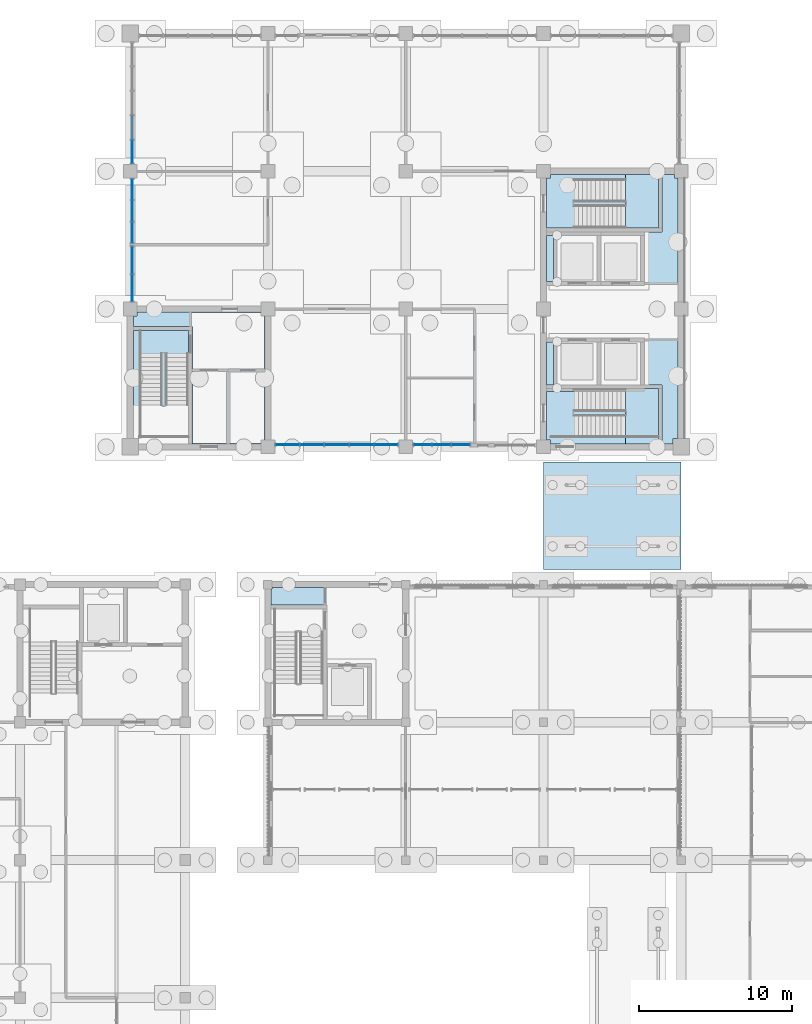
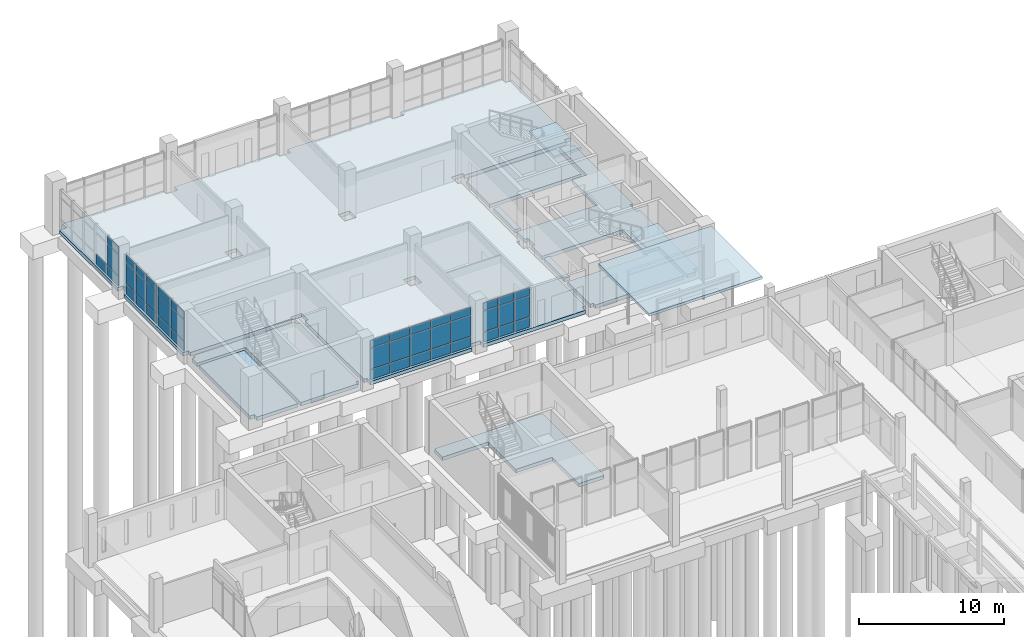
# One storey, part 62 of 106: 43 plates, 12 slabs, 7 elements without a shape of their own.
"""IFC4 building model written with IfcOpenShell, lengths in metres."""

from ifc_helpers import new_model, si_unit, direction, frame, origin, origin_2d, place, context, subcontext, project, spatial, polyline, rectangle, outline, extrude, material, layer, layer_set, type_object, element, aggregate, save


model = new_model("IFC4")

# Units and contexts
model_context = context("Model", 3, precision=1e-05, world=origin(), true_north=direction((0.0, 1.0)))
body_context = subcontext(model_context, "Body", "Model", "MODEL_VIEW")
ifc_project = project(units=[si_unit("LENGTHUNIT", "METRE"), si_unit("AREAUNIT", "SQUARE_METRE"), si_unit("VOLUMEUNIT", "CUBIC_METRE"), si_unit("PLANEANGLEUNIT", "RADIAN"), si_unit("MASSUNIT", "GRAM", prefix="KILO")], contexts=[model_context])

# Site, building, storey
site_placement = place(None, origin())
site = spatial("IfcSite", under=ifc_project, at=site_placement, CompositionType="ELEMENT")
building_placement = place(site_placement, origin())
building = spatial("IfcBuilding", under=site, at=building_placement, Name="Merrow Basin Faculty of Sciences", CompositionType="ELEMENT")
storey_placement = place(building_placement, origin())
storey = spatial("IfcBuildingStorey", under=building, at=storey_placement, Name="L00", CompositionType="ELEMENT", Elevation=0.0)

# Slabs
ifc_material_1 = material(Name="Concrete C40/50", Category="concrete")
ifc_layer_1 = layer(ifc_material_1, 0.219970703125)
ifc_layer_set_1 = layer_set([ifc_layer_1], Name="Canopy slab 220 Concrete C40/50")
slab_type_1 = type_object("IfcSlabType", Name="Canopy slab 220 Concrete C40/50", PredefinedType="ROOF", material=ifc_layer_set_1)
slab_1_placement = place(storey_placement, frame((0.0, 0.0, 4.179931640625)))
element("IfcSlab", 1, at=slab_1_placement, inside=storey, type_object=slab_type_1, Name="SL2 passage canopy P3L L00 005", PredefinedType="ROOF", context=body_context, shape_type="SweptSolid", body=[
    extrude(outline(polyline([(45.0, 141.0), (54.0, 141.0), (54.0, 134.0), (45.0, 134.0), (45.0, 141.0)])), origin(), (0.0, 0.0, 1.0), 0.219970703125),
])
ifc_material_2 = material(Name="Concrete C40/50", Category="concrete")
ifc_layer_2 = layer(ifc_material_2, 0.300048828125)
ifc_layer_set_2 = layer_set([ifc_layer_2], Name="Ground slab 300 Concrete C40/50")
slab_type_2 = type_object("IfcSlabType", Name="Ground slab 300 Concrete C40/50", PredefinedType="BASESLAB", material=ifc_layer_set_2)
slab_2_placement = place(storey_placement, frame((0.0, 0.0, -0.300048828125)))
element("IfcSlab", 2, at=slab_2_placement, inside=storey, type_object=slab_type_2, Name="SL3 ground L00 003", PredefinedType="BASESLAB", context=body_context, shape_type="SweptSolid", body=[
    extrude(outline(polyline([(35.72509765625, 124.27490234375), (35.72509765625, 124.199951171875), (33.75, 124.199951171875), (33.75, 127.60009765625), (33.75, 127.85009765625), (30.85009765625, 127.85009765625), (30.85009765625, 131.39990234375), (30.85009765625, 131.64990234375), (27.199951171875, 131.64990234375), (27.199951171875, 132.72509765625), (27.27490234375, 132.72509765625), (27.27490234375, 132.800048828125), (35.72509765625, 132.800048828125), (35.72509765625, 132.72509765625), (35.800048828125, 132.72509765625), (35.800048828125, 124.27490234375), (35.72509765625, 124.27490234375)])), origin(), (0.0, 0.0, 1.0), 0.300048828125),
])
slab_3_placement = place(storey_placement, frame((0.0, 0.0, -0.300048828125)))
element("IfcSlab", 3, at=slab_3_placement, inside=storey, type_object=slab_type_2, Name="SL3 ground L00 001", PredefinedType="BASESLAB", context=body_context, shape_type="SweptSolid", body=[
    extrude(outline(polyline([(18.449951171875, 159.550048828125), (18.449951171875, 160.449951171875), (18.0, 160.449951171875), (18.0, 168.449951171875), (18.550048828125, 168.449951171875), (18.550048828125, 169.0), (26.550048828125, 169.0), (26.550048828125, 168.550048828125), (27.449951171875, 168.550048828125), (27.449951171875, 169.0), (35.550048828125, 169.0), (35.550048828125, 168.550048828125), (36.449951171875, 168.550048828125), (36.449951171875, 169.0), (44.550048828125, 169.0), (44.550048828125, 168.550048828125), (45.449951171875, 168.550048828125), (45.449951171875, 169.0), (53.449951171875, 169.0), (53.449951171875, 168.449951171875), (54.0, 168.449951171875), (54.0, 160.449951171875), (53.550048828125, 160.449951171875), (53.550048828125, 160.199951171875), (45.449951171875, 160.199951171875), (45.449951171875, 160.449951171875), (44.550048828125, 160.449951171875), (44.550048828125, 159.550048828125), (44.800048828125, 159.550048828125), (44.800048828125, 151.449951171875), (44.550048828125, 151.449951171875), (44.550048828125, 150.550048828125), (44.800048828125, 150.550048828125), (44.800048828125, 142.449951171875), (44.550048828125, 142.449951171875), (44.550048828125, 142.0), (36.449951171875, 142.0), (36.449951171875, 142.449951171875), (35.550048828125, 142.449951171875), (35.550048828125, 142.0), (27.449951171875, 142.0), (27.449951171875, 142.449951171875), (27.199951171875, 142.449951171875), (27.199951171875, 150.550048828125), (27.449951171875, 150.550048828125), (27.449951171875, 151.449951171875), (26.550048828125, 151.449951171875), (26.550048828125, 151.199951171875), (18.449951171875, 151.199951171875), (18.449951171875, 151.449951171875), (18.0, 151.449951171875), (18.0, 159.550048828125), (18.449951171875, 159.550048828125)]), holes=[polyline([(35.550048828125, 151.449951171875), (35.550048828125, 150.550048828125), (36.449951171875, 150.550048828125), (36.449951171875, 151.449951171875), (35.550048828125, 151.449951171875)]), polyline([(36.449951171875, 160.449951171875), (35.550048828125, 160.449951171875), (35.550048828125, 159.550048828125), (36.449951171875, 159.550048828125), (36.449951171875, 160.449951171875)]), polyline([(26.550048828125, 160.449951171875), (26.550048828125, 159.550048828125), (27.449951171875, 159.550048828125), (27.449951171875, 160.449951171875), (26.550048828125, 160.449951171875)])]), origin(), (0.0, 0.0, 1.0), 0.300048828125),
])
slab_4_placement = place(storey_placement, frame((0.0, 0.0, -0.300048828125)))
element("IfcSlab", 4, at=slab_4_placement, inside=storey, type_object=slab_type_2, Name="SL3 ground L00 002", PredefinedType="BASESLAB", context=body_context, shape_type="SweptSolid", body=[
    extrude(outline(polyline([(48.75, 152.550048828125), (51.60009765625, 152.550048828125), (51.60009765625, 152.800048828125), (51.60009765625, 155.800048828125), (51.60009765625, 156.050048828125), (52.75, 156.050048828125), (52.75, 156.300048828125), (52.75, 159.800048828125), (53.550048828125, 159.800048828125), (53.550048828125, 159.550048828125), (53.800048828125, 159.550048828125), (53.800048828125, 151.449951171875), (53.550048828125, 151.449951171875), (53.550048828125, 150.550048828125), (53.800048828125, 150.550048828125), (53.800048828125, 142.550048828125), (53.449951171875, 142.550048828125), (53.449951171875, 142.199951171875), (52.75, 142.199951171875), (52.75, 145.800048828125), (52.75, 146.050048828125), (51.60009765625, 146.050048828125), (51.60009765625, 148.85009765625), (51.60009765625, 149.10009765625), (48.75, 149.10009765625), (45.199951171875, 149.10009765625), (45.199951171875, 150.550048828125), (45.449951171875, 150.550048828125), (45.449951171875, 151.449951171875), (45.199951171875, 151.449951171875), (45.199951171875, 152.550048828125), (48.75, 152.550048828125)])), origin(), (0.0, 0.0, 1.0), 0.300048828125),
])
slab_5_placement = place(storey_placement, frame((0.0, 0.0, -0.300048828125)))
element("IfcSlab", 5, at=slab_5_placement, inside=storey, type_object=slab_type_2, Name="SL3 ground L00 003", PredefinedType="BASESLAB", context=body_context, shape_type="SweptSolid", body=[
    extrude(outline(polyline([(18.449951171875, 150.800048828125), (26.550048828125, 150.800048828125), (26.550048828125, 150.550048828125), (26.800048828125, 150.550048828125), (26.800048828125, 142.449951171875), (26.550048828125, 142.449951171875), (26.550048828125, 142.199951171875), (22.050048828125, 142.199951171875), (22.050048828125, 149.60009765625), (22.050048828125, 149.85009765625), (18.199951171875, 149.85009765625), (18.199951171875, 150.550048828125), (18.449951171875, 150.550048828125), (18.449951171875, 150.800048828125)])), origin(), (0.0, 0.0, 1.0), 0.300048828125),
])
slab_6_placement = place(storey_placement, frame((0.0, 0.0, -0.300048828125)))
element("IfcSlab", 6, at=slab_6_placement, inside=storey, type_object=slab_type_2, Name="SL3 ground L00 004", PredefinedType="BASESLAB", context=body_context, shape_type="SweptSolid", body=[
    extrude(outline(polyline([(21.800048828125, 149.60009765625), (21.800048828125, 142.199951171875), (18.550048828125, 142.199951171875), (18.550048828125, 142.550048828125), (18.199951171875, 142.550048828125), (18.199951171875, 149.60009765625), (21.800048828125, 149.60009765625)])), origin(), (0.0, 0.0, 1.0), 0.300048828125),
])
slab_7_placement = place(storey_placement, frame((0.0, 0.0, -0.300048828125)))
element("IfcSlab", 7, at=slab_7_placement, inside=storey, type_object=slab_type_2, Name="SL3 ground L00 005", PredefinedType="BASESLAB", context=body_context, shape_type="SweptSolid", body=[
    extrude(outline(polyline([(45.449951171875, 159.800048828125), (52.5, 159.800048828125), (52.5, 156.300048828125), (45.199951171875, 156.300048828125), (45.199951171875, 159.550048828125), (45.449951171875, 159.550048828125), (45.449951171875, 159.800048828125)])), origin(), (0.0, 0.0, 1.0), 0.300048828125),
])
slab_8_placement = place(storey_placement, frame((0.0, 0.0, -0.300048828125)))
element("IfcSlab", 8, at=slab_8_placement, inside=storey, type_object=slab_type_2, Name="SL3 ground L00 006", PredefinedType="BASESLAB", context=body_context, shape_type="SweptSolid", body=[
    extrude(outline(polyline([(48.75, 145.60009765625), (51.60009765625, 145.60009765625), (51.60009765625, 145.800048828125), (52.5, 145.800048828125), (52.5, 142.199951171875), (45.449951171875, 142.199951171875), (45.449951171875, 142.449951171875), (45.199951171875, 142.449951171875), (45.199951171875, 145.60009765625), (48.75, 145.60009765625)])), origin(), (0.0, 0.0, 1.0), 0.300048828125),
])
slab_9_placement = place(storey_placement, frame((0.0, 0.0, -0.300048828125)))
element("IfcSlab", 9, at=slab_9_placement, inside=storey, type_object=slab_type_2, Name="SL3 ground L00 007", PredefinedType="BASESLAB", context=body_context, shape_type="SweptSolid", body=[
    extrude(outline(polyline([(45.199951171875, 155.800048828125), (45.64990234375, 155.800048828125), (45.64990234375, 152.800048828125), (45.199951171875, 152.800048828125), (45.199951171875, 155.800048828125)])), origin(), (0.0, 0.0, 1.0), 0.300048828125),
])
slab_10_placement = place(storey_placement, frame((0.0, 0.0, -0.300048828125)))
element("IfcSlab", 10, at=slab_10_placement, inside=storey, type_object=slab_type_2, Name="SL3 ground L00 008", PredefinedType="BASESLAB", context=body_context, shape_type="SweptSolid", body=[
    extrude(outline(polyline([(45.64990234375, 146.050048828125), (45.199951171875, 146.050048828125), (45.199951171875, 148.85009765625), (45.64990234375, 148.85009765625), (45.64990234375, 146.050048828125)])), origin(), (0.0, 0.0, 1.0), 0.300048828125),
])

# Curtain wall, plates
ifc_material_3 = material(Name="Aluminium alloy 6063", Category="aluminium")
curtain_wall_type = type_object("IfcCurtainWallType", Name="Tower lobby curtain wall 280", PredefinedType="NOTDEFINED", material=ifc_material_3)
curtain_wall_1_placement = place(storey_placement, origin())
curtain_wall_1 = element("IfcCurtainWall", 11, at=curtain_wall_1_placement, inside=storey, type_object=curtain_wall_type, Name="W curtain wall L00 1", PredefinedType="NOTDEFINED")
ifc_material_4 = material(Name="Insulated aluminium spandrel panel", Category="aluminium")
ifc_layer_3 = layer(ifc_material_4, 0.052001953125)
ifc_layer_set_3 = layer_set([ifc_layer_3], Name="Insulated spandrel panel 52")
plate_type_1 = type_object("IfcPlateType", Name="Insulated spandrel panel 52", PredefinedType="CURTAIN_PANEL", material=ifc_layer_set_3)
plate_1_placement = place(storey_placement, frame((18.139892578125, 152.3837890625, 0.06005859375), z_axis=(0.0, 0.0, 1.0), x_axis=(0.0, 1.0, 0.0)))
plate_1 = element("IfcPlate", 12, at=plate_1_placement, type_object=plate_type_1, Name="CW10 panel 1.1", PredefinedType="CURTAIN_PANEL", context=body_context, shape_type="SweptSolid", body=[
    extrude(rectangle(XDim=1.74755859375, YDim=0.052001953125, at=origin_2d()), origin(), (0.0, 0.0, 1.0), 0.81005859375),
])
plate_2_placement = place(storey_placement, frame((18.139892578125, 154.191162109375, 0.06005859375), z_axis=(0.0, 0.0, 1.0), x_axis=(0.0, 1.0, 0.0)))
plate_2 = element("IfcPlate", 13, at=plate_2_placement, type_object=plate_type_1, Name="CW10 panel 2.1", PredefinedType="CURTAIN_PANEL", context=body_context, shape_type="SweptSolid", body=[
    extrude(rectangle(XDim=1.74755859375, YDim=0.052001953125, at=origin_2d()), origin(), (0.0, 0.0, 1.0), 0.81005859375),
])

curtain_wall_2_placement = place(storey_placement, origin())
curtain_wall_2 = element("IfcCurtainWall", 14, at=curtain_wall_2_placement, inside=storey, type_object=curtain_wall_type, Name="W curtain wall L00 2", PredefinedType="NOTDEFINED")
plate_3_placement = place(storey_placement, frame((18.139892578125, 156.00244140625, 0.06005859375), z_axis=(0.0, 0.0, 1.0), x_axis=(0.0, 1.0, 0.0)))
plate_3 = element("IfcPlate", 15, at=plate_3_placement, type_object=plate_type_1, Name="CW10 panel 1.1", PredefinedType="CURTAIN_PANEL", context=body_context, shape_type="SweptSolid", body=[
    extrude(rectangle(XDim=1.3349609375, YDim=0.052001953125, at=origin_2d()), origin(), (0.0, 0.0, 1.0), 0.81005859375),
])
plate_4_placement = place(storey_placement, frame((18.139892578125, 157.41259765625, 0.06005859375), z_axis=(0.0, 0.0, 1.0), x_axis=(0.0, 1.0, 0.0)))
plate_4 = element("IfcPlate", 16, at=plate_4_placement, type_object=plate_type_1, Name="CW10 panel 2.1", PredefinedType="CURTAIN_PANEL", context=body_context, shape_type="SweptSolid", body=[
    extrude(rectangle(XDim=1.364990234375, YDim=0.052001953125, at=origin_2d()), origin(), (0.0, 0.0, 1.0), 0.81005859375),
])
plate_5_placement = place(storey_placement, frame((18.139892578125, 158.822509765625, 0.06005859375), z_axis=(0.0, 0.0, 1.0), x_axis=(0.0, 1.0, 0.0)))
plate_5 = element("IfcPlate", 17, at=plate_5_placement, type_object=plate_type_1, Name="CW10 panel 3.1", PredefinedType="CURTAIN_PANEL", context=body_context, shape_type="SweptSolid", body=[
    extrude(rectangle(XDim=1.3349609375, YDim=0.052001953125, at=origin_2d()), origin(), (0.0, 0.0, 1.0), 0.81005859375),
])

curtain_wall_3_placement = place(storey_placement, origin())
curtain_wall_3 = element("IfcCurtainWall", 18, at=curtain_wall_3_placement, inside=storey, type_object=curtain_wall_type, Name="W curtain wall L00 3", PredefinedType="NOTDEFINED")
plate_6_placement = place(storey_placement, frame((18.139892578125, 161.264892578125, 0.06005859375), z_axis=(0.0, 0.0, 1.0), x_axis=(0.0, 1.0, 0.0)))
plate_6 = element("IfcPlate", 19, at=plate_6_placement, type_object=plate_type_1, Name="CW10 panel 1.1", PredefinedType="CURTAIN_PANEL", context=body_context, shape_type="SweptSolid", body=[
    extrude(rectangle(XDim=1.510009765625, YDim=0.052001953125, at=origin_2d()), origin(), (0.0, 0.0, 1.0), 0.81005859375),
])
plate_7_placement = place(storey_placement, frame((18.139892578125, 162.85009765625, 0.06005859375), z_axis=(0.0, 0.0, 1.0), x_axis=(0.0, 1.0, 0.0)))
plate_7 = element("IfcPlate", 20, at=plate_7_placement, type_object=plate_type_1, Name="CW10 panel 2.1", PredefinedType="CURTAIN_PANEL", context=body_context, shape_type="SweptSolid", body=[
    extrude(rectangle(XDim=1.5400390625, YDim=0.052001953125, at=origin_2d()), origin(), (0.0, 0.0, 1.0), 0.81005859375),
])

curtain_wall_4_placement = place(storey_placement, origin())
curtain_wall_4 = element("IfcCurtainWall", 21, at=curtain_wall_4_placement, inside=storey, type_object=curtain_wall_type, Name="S curtain wall L00 1", PredefinedType="NOTDEFINED")
plate_8_placement = place(storey_placement, frame((28.27490234375, 142.139892578125, 0.06005859375), z_axis=(0.0, 0.0, 1.0), x_axis=(1.0, 0.0, 0.0)))
plate_8 = element("IfcPlate", 22, at=plate_8_placement, type_object=plate_type_1, Name="CW10 panel 1.1", PredefinedType="CURTAIN_PANEL", context=body_context, shape_type="SweptSolid", body=[
    extrude(rectangle(XDim=1.530029296875, YDim=0.052001953125, at=origin_2d()), origin(), (0.0, 0.0, 1.0), 0.81005859375),
])
plate_9_placement = place(storey_placement, frame((29.8798828125, 142.139892578125, 0.06005859375), z_axis=(0.0, 0.0, 1.0), x_axis=(1.0, 0.0, 0.0)))
plate_9 = element("IfcPlate", 23, at=plate_9_placement, type_object=plate_type_1, Name="CW10 panel 2.1", PredefinedType="CURTAIN_PANEL", context=body_context, shape_type="SweptSolid", body=[
    extrude(rectangle(XDim=1.56005859375, YDim=0.052001953125, at=origin_2d()), origin(), (0.0, 0.0, 1.0), 0.81005859375),
])
plate_10_placement = place(storey_placement, frame((31.5, 142.139892578125, 0.06005859375), z_axis=(0.0, 0.0, 1.0), x_axis=(1.0, 0.0, 0.0)))
plate_10 = element("IfcPlate", 24, at=plate_10_placement, type_object=plate_type_1, Name="CW10 panel 3.1", PredefinedType="CURTAIN_PANEL", context=body_context, shape_type="SweptSolid", body=[
    extrude(rectangle(XDim=1.56005859375, YDim=0.052001953125, at=origin_2d()), origin(), (0.0, 0.0, 1.0), 0.81005859375),
])
plate_11_placement = place(storey_placement, frame((33.1201171875, 142.139892578125, 0.06005859375), z_axis=(0.0, 0.0, 1.0), x_axis=(1.0, 0.0, 0.0)))
plate_11 = element("IfcPlate", 25, at=plate_11_placement, type_object=plate_type_1, Name="CW10 panel 4.1", PredefinedType="CURTAIN_PANEL", context=body_context, shape_type="SweptSolid", body=[
    extrude(rectangle(XDim=1.56005859375, YDim=0.052001953125, at=origin_2d()), origin(), (0.0, 0.0, 1.0), 0.81005859375),
])
plate_12_placement = place(storey_placement, frame((34.72509765625, 142.139892578125, 0.06005859375), z_axis=(0.0, 0.0, 1.0), x_axis=(1.0, 0.0, 0.0)))
plate_12 = element("IfcPlate", 26, at=plate_12_placement, type_object=plate_type_1, Name="CW10 panel 5.1", PredefinedType="CURTAIN_PANEL", context=body_context, shape_type="SweptSolid", body=[
    extrude(rectangle(XDim=1.530029296875, YDim=0.052001953125, at=origin_2d()), origin(), (0.0, 0.0, 1.0), 0.81005859375),
])

curtain_wall_5_placement = place(storey_placement, origin())
curtain_wall_5 = element("IfcCurtainWall", 27, at=curtain_wall_5_placement, inside=storey, type_object=curtain_wall_type, Name="S curtain wall L00 2", PredefinedType="NOTDEFINED")
plate_13_placement = place(storey_placement, frame((37.098388671875, 142.139892578125, 0.06005859375), z_axis=(0.0, 0.0, 1.0), x_axis=(1.0, 0.0, 0.0)))
plate_13 = element("IfcPlate", 28, at=plate_13_placement, type_object=plate_type_1, Name="CW10 panel 1.1", PredefinedType="CURTAIN_PANEL", context=body_context, shape_type="SweptSolid", body=[
    extrude(rectangle(XDim=1.1767578125, YDim=0.052001953125, at=origin_2d()), origin(), (0.0, 0.0, 1.0), 0.81005859375),
])
plate_14_placement = place(storey_placement, frame((38.35009765625, 142.139892578125, 0.06005859375), z_axis=(0.0, 0.0, 1.0), x_axis=(1.0, 0.0, 0.0)))
plate_14 = element("IfcPlate", 29, at=plate_14_placement, type_object=plate_type_1, Name="CW10 panel 2.1", PredefinedType="CURTAIN_PANEL", context=body_context, shape_type="SweptSolid", body=[
    extrude(rectangle(XDim=1.206787109375, YDim=0.052001953125, at=origin_2d()), origin(), (0.0, 0.0, 1.0), 0.81005859375),
])
plate_15_placement = place(storey_placement, frame((39.6015625, 142.139892578125, 0.06005859375), z_axis=(0.0, 0.0, 1.0), x_axis=(1.0, 0.0, 0.0)))
plate_15 = element("IfcPlate", 30, at=plate_15_placement, type_object=plate_type_1, Name="CW10 panel 3.1", PredefinedType="CURTAIN_PANEL", context=body_context, shape_type="SweptSolid", body=[
    extrude(rectangle(XDim=1.1767578125, YDim=0.052001953125, at=origin_2d()), origin(), (0.0, 0.0, 1.0), 0.81005859375),
])

# Plate
ifc_material_5 = material(Name="Laminated safety glass", Category="glass")
ifc_layer_4 = layer(ifc_material_5, 0.048095703125)
ifc_layer_set_4 = layer_set([ifc_layer_4], Name="Laminated triple glazed panel 48")
plate_type_2 = type_object("IfcPlateType", Name="Laminated triple glazed panel 48", PredefinedType="CURTAIN_PANEL", material=ifc_layer_set_4)
plate_16_placement = place(storey_placement, frame((18.139892578125, 152.3837890625, 0.93017578125), z_axis=(0.0, 0.0, 1.0), x_axis=(0.0, 1.0, 0.0)))
plate_16 = element("IfcPlate", 31, at=plate_16_placement, type_object=plate_type_2, Name="CW10 panel 1.2", PredefinedType="CURTAIN_PANEL", context=body_context, shape_type="SweptSolid", body=[
    extrude(rectangle(XDim=1.74755859375, YDim=0.048095703125, at=origin_2d()), origin(), (0.0, 0.0, 1.0), 1.739990234375),
])

plate_17_placement = place(storey_placement, frame((18.139892578125, 152.3837890625, 2.72998046875), z_axis=(0.0, 0.0, 1.0), x_axis=(0.0, 1.0, 0.0)))
plate_17 = element("IfcPlate", 32, at=plate_17_placement, type_object=plate_type_2, Name="CW10 panel 1.3", PredefinedType="CURTAIN_PANEL", context=body_context, shape_type="SweptSolid", body=[
    extrude(rectangle(XDim=1.74755859375, YDim=0.048095703125, at=origin_2d()), origin(), (0.0, 0.0, 1.0), 0.610107421875),
])

plate_18_placement = place(storey_placement, frame((18.139892578125, 154.191162109375, 0.93017578125), z_axis=(0.0, 0.0, 1.0), x_axis=(0.0, 1.0, 0.0)))
plate_18 = element("IfcPlate", 33, at=plate_18_placement, type_object=plate_type_2, Name="CW10 panel 2.2", PredefinedType="CURTAIN_PANEL", context=body_context, shape_type="SweptSolid", body=[
    extrude(rectangle(XDim=1.74755859375, YDim=0.048095703125, at=origin_2d()), origin(), (0.0, 0.0, 1.0), 1.739990234375),
])

plate_19_placement = place(storey_placement, frame((18.139892578125, 154.191162109375, 2.72998046875), z_axis=(0.0, 0.0, 1.0), x_axis=(0.0, 1.0, 0.0)))
plate_19 = element("IfcPlate", 34, at=plate_19_placement, type_object=plate_type_2, Name="CW10 panel 2.3", PredefinedType="CURTAIN_PANEL", context=body_context, shape_type="SweptSolid", body=[
    extrude(rectangle(XDim=1.74755859375, YDim=0.048095703125, at=origin_2d()), origin(), (0.0, 0.0, 1.0), 0.610107421875),
])

aggregate(curtain_wall_1, [plate_1, plate_16, plate_17, plate_2, plate_18, plate_19])

plate_20_placement = place(storey_placement, frame((18.139892578125, 156.00244140625, 0.93017578125), z_axis=(0.0, 0.0, 1.0), x_axis=(0.0, 1.0, 0.0)))
plate_20 = element("IfcPlate", 35, at=plate_20_placement, type_object=plate_type_2, Name="CW10 panel 1.2", PredefinedType="CURTAIN_PANEL", context=body_context, shape_type="SweptSolid", body=[
    extrude(rectangle(XDim=1.3349609375, YDim=0.048095703125, at=origin_2d()), origin(), (0.0, 0.0, 1.0), 1.739990234375),
])

plate_21_placement = place(storey_placement, frame((18.139892578125, 156.00244140625, 2.72998046875), z_axis=(0.0, 0.0, 1.0), x_axis=(0.0, 1.0, 0.0)))
plate_21 = element("IfcPlate", 36, at=plate_21_placement, type_object=plate_type_2, Name="CW10 panel 1.3", PredefinedType="CURTAIN_PANEL", context=body_context, shape_type="SweptSolid", body=[
    extrude(rectangle(XDim=1.3349609375, YDim=0.048095703125, at=origin_2d()), origin(), (0.0, 0.0, 1.0), 0.610107421875),
])

plate_22_placement = place(storey_placement, frame((18.139892578125, 157.41259765625, 0.93017578125), z_axis=(0.0, 0.0, 1.0), x_axis=(0.0, 1.0, 0.0)))
plate_22 = element("IfcPlate", 37, at=plate_22_placement, type_object=plate_type_2, Name="CW10 panel 2.2", PredefinedType="CURTAIN_PANEL", context=body_context, shape_type="SweptSolid", body=[
    extrude(rectangle(XDim=1.364990234375, YDim=0.048095703125, at=origin_2d()), origin(), (0.0, 0.0, 1.0), 1.739990234375),
])

plate_23_placement = place(storey_placement, frame((18.139892578125, 157.41259765625, 2.72998046875), z_axis=(0.0, 0.0, 1.0), x_axis=(0.0, 1.0, 0.0)))
plate_23 = element("IfcPlate", 38, at=plate_23_placement, type_object=plate_type_2, Name="CW10 panel 2.3", PredefinedType="CURTAIN_PANEL", context=body_context, shape_type="SweptSolid", body=[
    extrude(rectangle(XDim=1.364990234375, YDim=0.048095703125, at=origin_2d()), origin(), (0.0, 0.0, 1.0), 0.610107421875),
])

plate_24_placement = place(storey_placement, frame((18.139892578125, 158.822509765625, 0.93017578125), z_axis=(0.0, 0.0, 1.0), x_axis=(0.0, 1.0, 0.0)))
plate_24 = element("IfcPlate", 39, at=plate_24_placement, type_object=plate_type_2, Name="CW10 panel 3.2", PredefinedType="CURTAIN_PANEL", context=body_context, shape_type="SweptSolid", body=[
    extrude(rectangle(XDim=1.3349609375, YDim=0.048095703125, at=origin_2d()), origin(), (0.0, 0.0, 1.0), 1.739990234375),
])

plate_25_placement = place(storey_placement, frame((18.139892578125, 158.822509765625, 2.72998046875), z_axis=(0.0, 0.0, 1.0), x_axis=(0.0, 1.0, 0.0)))
plate_25 = element("IfcPlate", 40, at=plate_25_placement, type_object=plate_type_2, Name="CW10 panel 3.3", PredefinedType="CURTAIN_PANEL", context=body_context, shape_type="SweptSolid", body=[
    extrude(rectangle(XDim=1.3349609375, YDim=0.048095703125, at=origin_2d()), origin(), (0.0, 0.0, 1.0), 0.610107421875),
])

aggregate(curtain_wall_2, [plate_3, plate_20, plate_21, plate_4, plate_22, plate_23, plate_5, plate_24, plate_25])

plate_26_placement = place(storey_placement, frame((18.139892578125, 161.264892578125, 0.93017578125), z_axis=(0.0, 0.0, 1.0), x_axis=(0.0, 1.0, 0.0)))
plate_26 = element("IfcPlate", 41, at=plate_26_placement, type_object=plate_type_2, Name="CW10 panel 1.2", PredefinedType="CURTAIN_PANEL", context=body_context, shape_type="SweptSolid", body=[
    extrude(rectangle(XDim=1.510009765625, YDim=0.048095703125, at=origin_2d()), origin(), (0.0, 0.0, 1.0), 1.739990234375),
])

plate_27_placement = place(storey_placement, frame((18.139892578125, 161.264892578125, 2.72998046875), z_axis=(0.0, 0.0, 1.0), x_axis=(0.0, 1.0, 0.0)))
plate_27 = element("IfcPlate", 42, at=plate_27_placement, type_object=plate_type_2, Name="CW10 panel 1.3", PredefinedType="CURTAIN_PANEL", context=body_context, shape_type="SweptSolid", body=[
    extrude(rectangle(XDim=1.510009765625, YDim=0.048095703125, at=origin_2d()), origin(), (0.0, 0.0, 1.0), 0.610107421875),
])

aggregate(curtain_wall_3, [plate_6, plate_26, plate_27, plate_7])

plate_28_placement = place(storey_placement, frame((28.27490234375, 142.139892578125, 0.93017578125), z_axis=(0.0, 0.0, 1.0), x_axis=(1.0, 0.0, 0.0)))
plate_28 = element("IfcPlate", 43, at=plate_28_placement, type_object=plate_type_2, Name="CW10 panel 1.2", PredefinedType="CURTAIN_PANEL", context=body_context, shape_type="SweptSolid", body=[
    extrude(rectangle(XDim=1.530029296875, YDim=0.048095703125, at=origin_2d()), origin(), (0.0, 0.0, 1.0), 1.739990234375),
])

plate_29_placement = place(storey_placement, frame((28.27490234375, 142.139892578125, 2.72998046875), z_axis=(0.0, 0.0, 1.0), x_axis=(1.0, 0.0, 0.0)))
plate_29 = element("IfcPlate", 44, at=plate_29_placement, type_object=plate_type_2, Name="CW10 panel 1.3", PredefinedType="CURTAIN_PANEL", context=body_context, shape_type="SweptSolid", body=[
    extrude(rectangle(XDim=1.530029296875, YDim=0.048095703125, at=origin_2d()), origin(), (0.0, 0.0, 1.0), 0.610107421875),
])

plate_30_placement = place(storey_placement, frame((29.8798828125, 142.139892578125, 0.93017578125), z_axis=(0.0, 0.0, 1.0), x_axis=(1.0, 0.0, 0.0)))
plate_30 = element("IfcPlate", 45, at=plate_30_placement, type_object=plate_type_2, Name="CW10 panel 2.2", PredefinedType="CURTAIN_PANEL", context=body_context, shape_type="SweptSolid", body=[
    extrude(rectangle(XDim=1.56005859375, YDim=0.048095703125, at=origin_2d()), origin(), (0.0, 0.0, 1.0), 1.739990234375),
])

plate_31_placement = place(storey_placement, frame((29.8798828125, 142.139892578125, 2.72998046875), z_axis=(0.0, 0.0, 1.0), x_axis=(1.0, 0.0, 0.0)))
plate_31 = element("IfcPlate", 46, at=plate_31_placement, type_object=plate_type_2, Name="CW10 panel 2.3", PredefinedType="CURTAIN_PANEL", context=body_context, shape_type="SweptSolid", body=[
    extrude(rectangle(XDim=1.56005859375, YDim=0.048095703125, at=origin_2d()), origin(), (0.0, 0.0, 1.0), 0.610107421875),
])

plate_32_placement = place(storey_placement, frame((31.5, 142.139892578125, 0.93017578125), z_axis=(0.0, 0.0, 1.0), x_axis=(1.0, 0.0, 0.0)))
plate_32 = element("IfcPlate", 47, at=plate_32_placement, type_object=plate_type_2, Name="CW10 panel 3.2", PredefinedType="CURTAIN_PANEL", context=body_context, shape_type="SweptSolid", body=[
    extrude(rectangle(XDim=1.56005859375, YDim=0.048095703125, at=origin_2d()), origin(), (0.0, 0.0, 1.0), 1.739990234375),
])

plate_33_placement = place(storey_placement, frame((31.5, 142.139892578125, 2.72998046875), z_axis=(0.0, 0.0, 1.0), x_axis=(1.0, 0.0, 0.0)))
plate_33 = element("IfcPlate", 48, at=plate_33_placement, type_object=plate_type_2, Name="CW10 panel 3.3", PredefinedType="CURTAIN_PANEL", context=body_context, shape_type="SweptSolid", body=[
    extrude(rectangle(XDim=1.56005859375, YDim=0.048095703125, at=origin_2d()), origin(), (0.0, 0.0, 1.0), 0.610107421875),
])

plate_34_placement = place(storey_placement, frame((33.1201171875, 142.139892578125, 0.93017578125), z_axis=(0.0, 0.0, 1.0), x_axis=(1.0, 0.0, 0.0)))
plate_34 = element("IfcPlate", 49, at=plate_34_placement, type_object=plate_type_2, Name="CW10 panel 4.2", PredefinedType="CURTAIN_PANEL", context=body_context, shape_type="SweptSolid", body=[
    extrude(rectangle(XDim=1.56005859375, YDim=0.048095703125, at=origin_2d()), origin(), (0.0, 0.0, 1.0), 1.739990234375),
])

plate_35_placement = place(storey_placement, frame((33.1201171875, 142.139892578125, 2.72998046875), z_axis=(0.0, 0.0, 1.0), x_axis=(1.0, 0.0, 0.0)))
plate_35 = element("IfcPlate", 50, at=plate_35_placement, type_object=plate_type_2, Name="CW10 panel 4.3", PredefinedType="CURTAIN_PANEL", context=body_context, shape_type="SweptSolid", body=[
    extrude(rectangle(XDim=1.56005859375, YDim=0.048095703125, at=origin_2d()), origin(), (0.0, 0.0, 1.0), 0.610107421875),
])

plate_36_placement = place(storey_placement, frame((34.72509765625, 142.139892578125, 0.93017578125), z_axis=(0.0, 0.0, 1.0), x_axis=(1.0, 0.0, 0.0)))
plate_36 = element("IfcPlate", 51, at=plate_36_placement, type_object=plate_type_2, Name="CW10 panel 5.2", PredefinedType="CURTAIN_PANEL", context=body_context, shape_type="SweptSolid", body=[
    extrude(rectangle(XDim=1.530029296875, YDim=0.048095703125, at=origin_2d()), origin(), (0.0, 0.0, 1.0), 1.739990234375),
])

plate_37_placement = place(storey_placement, frame((34.72509765625, 142.139892578125, 2.72998046875), z_axis=(0.0, 0.0, 1.0), x_axis=(1.0, 0.0, 0.0)))
plate_37 = element("IfcPlate", 52, at=plate_37_placement, type_object=plate_type_2, Name="CW10 panel 5.3", PredefinedType="CURTAIN_PANEL", context=body_context, shape_type="SweptSolid", body=[
    extrude(rectangle(XDim=1.530029296875, YDim=0.048095703125, at=origin_2d()), origin(), (0.0, 0.0, 1.0), 0.610107421875),
])

aggregate(curtain_wall_4, [plate_8, plate_28, plate_29, plate_9, plate_30, plate_31, plate_10, plate_32, plate_33, plate_11, plate_34, plate_35, plate_12, plate_36, plate_37])

plate_38_placement = place(storey_placement, frame((37.098388671875, 142.139892578125, 0.93017578125), z_axis=(0.0, 0.0, 1.0), x_axis=(1.0, 0.0, 0.0)))
plate_38 = element("IfcPlate", 53, at=plate_38_placement, type_object=plate_type_2, Name="CW10 panel 1.2", PredefinedType="CURTAIN_PANEL", context=body_context, shape_type="SweptSolid", body=[
    extrude(rectangle(XDim=1.1767578125, YDim=0.048095703125, at=origin_2d()), origin(), (0.0, 0.0, 1.0), 1.739990234375),
])

plate_39_placement = place(storey_placement, frame((37.098388671875, 142.139892578125, 2.72998046875), z_axis=(0.0, 0.0, 1.0), x_axis=(1.0, 0.0, 0.0)))
plate_39 = element("IfcPlate", 54, at=plate_39_placement, type_object=plate_type_2, Name="CW10 panel 1.3", PredefinedType="CURTAIN_PANEL", context=body_context, shape_type="SweptSolid", body=[
    extrude(rectangle(XDim=1.1767578125, YDim=0.048095703125, at=origin_2d()), origin(), (0.0, 0.0, 1.0), 0.610107421875),
])

plate_40_placement = place(storey_placement, frame((38.35009765625, 142.139892578125, 0.93017578125), z_axis=(0.0, 0.0, 1.0), x_axis=(1.0, 0.0, 0.0)))
plate_40 = element("IfcPlate", 55, at=plate_40_placement, type_object=plate_type_2, Name="CW10 panel 2.2", PredefinedType="CURTAIN_PANEL", context=body_context, shape_type="SweptSolid", body=[
    extrude(rectangle(XDim=1.206787109375, YDim=0.048095703125, at=origin_2d()), origin(), (0.0, 0.0, 1.0), 1.739990234375),
])

plate_41_placement = place(storey_placement, frame((38.35009765625, 142.139892578125, 2.72998046875), z_axis=(0.0, 0.0, 1.0), x_axis=(1.0, 0.0, 0.0)))
plate_41 = element("IfcPlate", 56, at=plate_41_placement, type_object=plate_type_2, Name="CW10 panel 2.3", PredefinedType="CURTAIN_PANEL", context=body_context, shape_type="SweptSolid", body=[
    extrude(rectangle(XDim=1.206787109375, YDim=0.048095703125, at=origin_2d()), origin(), (0.0, 0.0, 1.0), 0.610107421875),
])

plate_42_placement = place(storey_placement, frame((39.6015625, 142.139892578125, 0.93017578125), z_axis=(0.0, 0.0, 1.0), x_axis=(1.0, 0.0, 0.0)))
plate_42 = element("IfcPlate", 57, at=plate_42_placement, type_object=plate_type_2, Name="CW10 panel 3.2", PredefinedType="CURTAIN_PANEL", context=body_context, shape_type="SweptSolid", body=[
    extrude(rectangle(XDim=1.1767578125, YDim=0.048095703125, at=origin_2d()), origin(), (0.0, 0.0, 1.0), 1.739990234375),
])

plate_43_placement = place(storey_placement, frame((39.6015625, 142.139892578125, 2.72998046875), z_axis=(0.0, 0.0, 1.0), x_axis=(1.0, 0.0, 0.0)))
plate_43 = element("IfcPlate", 58, at=plate_43_placement, type_object=plate_type_2, Name="CW10 panel 3.3", PredefinedType="CURTAIN_PANEL", context=body_context, shape_type="SweptSolid", body=[
    extrude(rectangle(XDim=1.1767578125, YDim=0.048095703125, at=origin_2d()), origin(), (0.0, 0.0, 1.0), 0.610107421875),
])

aggregate(curtain_wall_5, [plate_13, plate_38, plate_39, plate_14, plate_40, plate_41, plate_15, plate_42, plate_43])

# Stair, slab
ifc_material_6 = material(Name="Concrete C40/50", Category="concrete")
stair_type = type_object("IfcStairType", Name="Concrete dog-leg stair Concrete C40/50", PredefinedType="HALF_TURN_STAIR", material=ifc_material_6)
stair_1_placement = place(storey_placement, origin())
stair_1 = element("IfcStair", 59, at=stair_1_placement, inside=storey, type_object=stair_type, Name="L00 Exit stair S", PredefinedType="HALF_TURN_STAIR")
ifc_material_7 = material(Name="Concrete C40/50", Category="concrete")
ifc_layer_5 = layer(ifc_material_7, 0.199951171875)
ifc_layer_set_5 = layer_set([ifc_layer_5], Name="Stair landing 200 Concrete C40/50")
slab_type_3 = type_object("IfcSlabType", Name="Stair landing 200 Concrete C40/50", PredefinedType="LANDING", material=ifc_layer_set_5)
slab_11_placement = place(storey_placement, frame((0.0, 0.0, 2.050048828125)))
slab_11 = element("IfcSlab", 60, at=slab_11_placement, type_object=slab_type_3, Name="ST-V5-S landing 1", PredefinedType="LANDING", context=body_context, shape_type="SweptSolid", body=[
    extrude(outline(polyline([(50.360107421875, 156.300048828125), (52.5, 156.300048828125), (52.5, 159.800048828125), (50.360107421875, 159.800048828125), (50.360107421875, 156.300048828125)])), origin(), (0.0, 0.0, 1.0), 0.199951171875),
])
aggregate(stair_1, [slab_11])

stair_2_placement = place(storey_placement, origin())
stair_2 = element("IfcStair", 61, at=stair_2_placement, inside=storey, type_object=stair_type, Name="L00 Exit stair N", PredefinedType="HALF_TURN_STAIR")
slab_12_placement = place(storey_placement, frame((0.0, 0.0, 2.050048828125)))
slab_12 = element("IfcSlab", 62, at=slab_12_placement, type_object=slab_type_3, Name="ST-V5-N landing 1", PredefinedType="LANDING", context=body_context, shape_type="SweptSolid", body=[
    extrude(outline(polyline([(50.360107421875, 142.199951171875), (52.5, 142.199951171875), (52.5, 145.800048828125), (50.360107421875, 145.800048828125), (50.360107421875, 142.199951171875)])), origin(), (0.0, 0.0, 1.0), 0.199951171875),
])
aggregate(stair_2, [slab_12])

save(model, "model.ifc")
